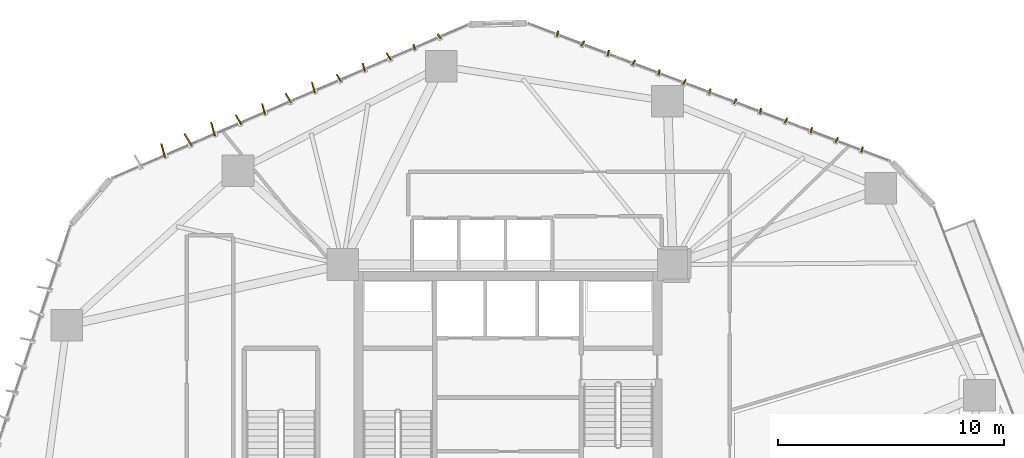
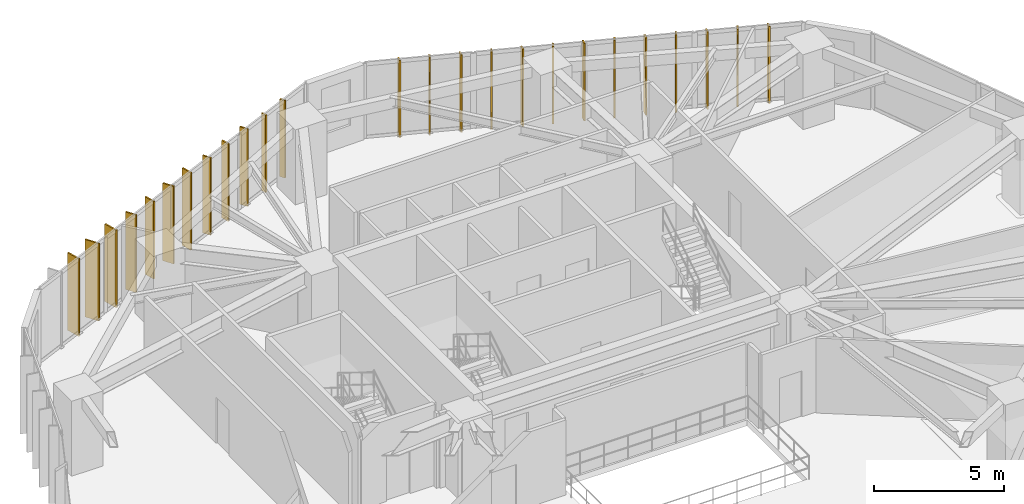
# One storey, part 23 of 23: 25 shading devices.
"""IFC4 building model written with IfcOpenShell, lengths in metres."""

from ifc_helpers import new_model, si_unit, direction, frame, origin, origin_2d, place, context, subcontext, project, spatial, rectangle, extrude, source, transform, mapped, material, layer, layer_set, type_object, type_shapes, element, save


model = new_model("IFC4")

# Units and contexts
model_context = context("Model", 3, precision=1e-05, world=origin(), true_north=direction((0.0, 1.0)))
body_context = subcontext(model_context, "Body", "Model", "MODEL_VIEW")
ifc_project = project(units=[si_unit("LENGTHUNIT", "METRE"), si_unit("AREAUNIT", "SQUARE_METRE"), si_unit("VOLUMEUNIT", "CUBIC_METRE"), si_unit("PLANEANGLEUNIT", "RADIAN"), si_unit("MASSUNIT", "GRAM", prefix="KILO")], contexts=[model_context])

# Site, building, storey
site_placement = place(None, origin())
site = spatial("IfcSite", under=ifc_project, at=site_placement, CompositionType="ELEMENT")
building_placement = place(site_placement, origin())
building = spatial("IfcBuilding", under=site, at=building_placement, Name="Talar Marvaseh", CompositionType="ELEMENT")
storey_placement = place(building_placement, frame((0.0, 0.0, 27.800048828125)))
storey = spatial("IfcBuildingStorey", under=building, at=storey_placement, Name="L06", CompositionType="ELEMENT", Elevation=27.800048828125)

# Shading devices
ifc_material = material(Name="Anodised Champagne Bronze Aluminium", Category="aluminium")
ifc_layer_1 = layer(ifc_material, 0.06494140625)
ifc_layer_set_1 = layer_set([ifc_layer_1], Name="Anodised Champagne Bronze Aluminium")
shading_device_type_1 = type_object("IfcShadingDeviceType", Name="Sawtooth Champagne Bronze Vertical Fin 240", PredefinedType="USERDEFINED", material=ifc_layer_set_1)
shared_shape_1 = source(origin(), body_context, "Body", "SweptSolid", [
    extrude(rectangle(XDim=0.239990234375, YDim=0.06494140625, at=origin_2d()), origin(), (0.0, 0.0, 1.0), 3.639892578125),
])
type_shapes(shading_device_type_1, [shared_shape_1])
for number, where, z_axis, x_axis, name in (
    (1, (21.855224609375, 46.515625, -0.1201171875), (0.0, 0.0, 1.0), (-0.264209727938, 0.964465250625, 0.0), "L06 Sawtooth Vertical Solar Fin"),
    (2, (22.957275390625, 46.99072265625, -0.1201171875), (0.0, 0.0, 1.0), (-0.519817342621, 0.854277431699, 0.0), "L06 Sawtooth Vertical Solar Fin"),
    (3, (28.189697265625, 47.104736328125, -0.1201171875), (0.0, 0.0, 1.0), (0.221888875454, 0.975071959883, 0.0), "L06 Sawtooth Vertical Solar Fin"),
    (4, (29.311279296875, 46.67822265625, -0.1201171875), (0.0, 0.0, 1.0), (0.482059533482, 0.876138462904, 0.0), "L06 Sawtooth Vertical Solar Fin"),
    (5, (30.43310546875, 46.251953125, -0.1201171875), (0.0, 0.0, 1.0), (0.221888875454, 0.975071959883, 0.0), "L06 Sawtooth Vertical Solar Fin"),
    (6, (31.5546875, 45.825439453125, -0.1201171875), (0.0, 0.0, 1.0), (0.482059533482, 0.876138462904, 0.0), "L06 Sawtooth Vertical Solar Fin"),
    (7, (32.676513671875, 45.39892578125, -0.1201171875), (0.0, 0.0, 1.0), (0.221888875454, 0.975071959883, 0.0), "L06 Sawtooth Vertical Solar Fin"),
    (8, (33.798095703125, 44.972412109375, -0.1201171875), (0.0, 0.0, 1.0), (0.482059533482, 0.876138462904, 0.0), "L06 Sawtooth Vertical Solar Fin"),
    (9, (34.919677734375, 44.5458984375, -0.1201171875), (0.0, 0.0, 1.0), (0.221888875454, 0.975071959883, 0.0), "L06 Sawtooth Vertical Solar Fin"),
    (10, (36.04150390625, 44.119384765625, -0.1201171875), (0.0, 0.0, 1.0), (0.482059533482, 0.876138462904, 0.0), "L06 Sawtooth Vertical Solar Fin"),
    (11, (37.1630859375, 43.693115234375, -0.1201171875), (0.0, 0.0, 1.0), (0.221888875454, 0.975071959883, 0.0), "L06 Sawtooth Vertical Solar Fin"),
    (12, (38.28466796875, 43.2666015625, -0.1201171875), (0.0, 0.0, 1.0), (0.482059533482, 0.876138462904, 0.0), "L06 Sawtooth Vertical Solar Fin"),
    (13, (39.40625, 42.840087890625, -0.1201171875), (0.0, 0.0, 1.0), (0.221888875454, 0.975071959883, 0.0), "L06 Sawtooth Vertical Solar Fin"),
    (14, (40.528076171875, 42.41357421875, -0.1201171875), (0.0, 0.0, 1.0), (0.482059533482, 0.876138462904, 0.0), "L06 Sawtooth Vertical Solar Fin"),
    (15, (41.649658203125, 41.987060546875, -0.1201171875), (0.0, 0.0, 1.0), (0.221888875454, 0.975071959883, 0.0), "L06 Sawtooth Vertical Solar Fin"),
):
    element("IfcShadingDevice", number, at=place(storey_placement, frame(where, z_axis=z_axis, x_axis=x_axis)), inside=storey, type_object=shading_device_type_1, Name=name, ObjectType="FIN", PredefinedType="USERDEFINED", context=body_context, shape_type="MappedRepresentation", body=[
        mapped(shared_shape_1, transform((0.0, 0.0, 0.0), x_axis=(1.0, 0.0, 0.0), y_axis=(0.0, 1.0, 0.0), z_axis=(0.0, 0.0, 1.0), scale=1.0)),
    ])
ifc_layer_2 = layer(ifc_material, 0.06494140625)
ifc_layer_set_2 = layer_set([ifc_layer_2], Name="Anodised Champagne Bronze Aluminium")
shading_device_type_2 = type_object("IfcShadingDeviceType", Name="Sawtooth Champagne Bronze Vertical Fin 360", PredefinedType="USERDEFINED", material=ifc_layer_set_2)
shared_shape_2 = source(origin(), body_context, "Body", "SweptSolid", [
    extrude(rectangle(XDim=0.360107421875, YDim=0.06494140625, at=origin_2d()), origin(), (0.0, 0.0, 1.0), 3.639892578125),
])
type_shapes(shading_device_type_2, [shared_shape_2])
for number, where, z_axis, x_axis, name in (
    (16, (18.525390625, 45.145751953125, -0.1201171875), (0.0, 0.0, 1.0), (-0.519817342621, 0.854277431699, 0.0), "L06 Sawtooth Vertical Solar Fin"),
    (17, (19.62744140625, 45.620849609375, -0.1201171875), (0.0, 0.0, 1.0), (-0.264209727938, 0.964465250625, 0.0), "L06 Sawtooth Vertical Solar Fin"),
    (18, (20.7294921875, 46.095703125, -0.1201171875), (0.0, 0.0, 1.0), (-0.519817342621, 0.854277431699, 0.0), "L06 Sawtooth Vertical Solar Fin"),
):
    element("IfcShadingDevice", number, at=place(storey_placement, frame(where, z_axis=z_axis, x_axis=x_axis)), inside=storey, type_object=shading_device_type_2, Name=name, ObjectType="FIN", PredefinedType="USERDEFINED", context=body_context, shape_type="MappedRepresentation", body=[
        mapped(shared_shape_2, transform((0.0, 0.0, 0.0), x_axis=(1.0, 0.0, 0.0), y_axis=(0.0, 1.0, 0.0), z_axis=(0.0, 0.0, 1.0), scale=1.0)),
    ])
ifc_layer_3 = layer(ifc_material, 0.06494140625)
ifc_layer_set_3 = layer_set([ifc_layer_3], Name="Anodised Champagne Bronze Aluminium")
shading_device_type_3 = type_object("IfcShadingDeviceType", Name="Sawtooth Champagne Bronze Vertical Fin 480", PredefinedType="USERDEFINED", material=ifc_layer_set_3)
shared_shape_3 = source(origin(), body_context, "Body", "SweptSolid", [
    extrude(rectangle(XDim=0.47998046875, YDim=0.06494140625, at=origin_2d()), origin(), (0.0, 0.0, 1.0), 3.639892578125),
])
type_shapes(shading_device_type_3, [shared_shape_3])
for number, where, z_axis, x_axis, name in (
    (19, (14.09375, 43.30078125, -0.1201171875), (0.0, 0.0, 1.0), (-0.519817342621, 0.854277431699, 0.0), "L06 Sawtooth Vertical Solar Fin"),
    (20, (15.19580078125, 43.77587890625, -0.1201171875), (0.0, 0.0, 1.0), (-0.264209727938, 0.964465250625, 0.0), "L06 Sawtooth Vertical Solar Fin"),
    (21, (16.297607421875, 44.2509765625, -0.1201171875), (0.0, 0.0, 1.0), (-0.519817342621, 0.854277431699, 0.0), "L06 Sawtooth Vertical Solar Fin"),
    (22, (17.399658203125, 44.725830078125, -0.1201171875), (0.0, 0.0, 1.0), (-0.264209727938, 0.964465250625, 0.0), "L06 Sawtooth Vertical Solar Fin"),
):
    element("IfcShadingDevice", number, at=place(storey_placement, frame(where, z_axis=z_axis, x_axis=x_axis)), inside=storey, type_object=shading_device_type_3, Name=name, ObjectType="FIN", PredefinedType="USERDEFINED", context=body_context, shape_type="MappedRepresentation", body=[
        mapped(shared_shape_3, transform((0.0, 0.0, 0.0), x_axis=(1.0, 0.0, 0.0), y_axis=(0.0, 1.0, 0.0), z_axis=(0.0, 0.0, 1.0), scale=1.0)),
    ])
ifc_layer_4 = layer(ifc_material, 0.06494140625)
ifc_layer_set_4 = layer_set([ifc_layer_4], Name="Anodised Champagne Bronze Aluminium")
shading_device_type_4 = type_object("IfcShadingDeviceType", Name="Sawtooth Champagne Bronze Vertical Fin 620", PredefinedType="USERDEFINED", material=ifc_layer_set_4)
shared_shape_4 = source(origin(), body_context, "Body", "SweptSolid", [
    extrude(rectangle(XDim=0.6201171875, YDim=0.06494140625, at=origin_2d()), origin(), (0.0, 0.0, 1.0), 3.639892578125),
])
type_shapes(shading_device_type_4, [shared_shape_4])
for number, where, z_axis, x_axis, name in (
    (23, (10.760009765625, 41.940185546875, -0.1201171875), (0.0, 0.0, 1.0), (-0.264209727938, 0.964465250625, 0.0), "L06 Sawtooth Vertical Solar Fin"),
    (24, (11.862060546875, 42.415283203125, -0.1201171875), (0.0, 0.0, 1.0), (-0.519817342621, 0.854277431699, 0.0), "L06 Sawtooth Vertical Solar Fin"),
    (25, (12.964111328125, 42.89013671875, -0.1201171875), (0.0, 0.0, 1.0), (-0.264209727938, 0.964465250625, 0.0), "L06 Sawtooth Vertical Solar Fin"),
):
    element("IfcShadingDevice", number, at=place(storey_placement, frame(where, z_axis=z_axis, x_axis=x_axis)), inside=storey, type_object=shading_device_type_4, Name=name, ObjectType="FIN", PredefinedType="USERDEFINED", context=body_context, shape_type="MappedRepresentation", body=[
        mapped(shared_shape_4, transform((0.0, 0.0, 0.0), x_axis=(1.0, 0.0, 0.0), y_axis=(0.0, 1.0, 0.0), z_axis=(0.0, 0.0, 1.0), scale=1.0)),
    ])

save(model, "model.ifc")
